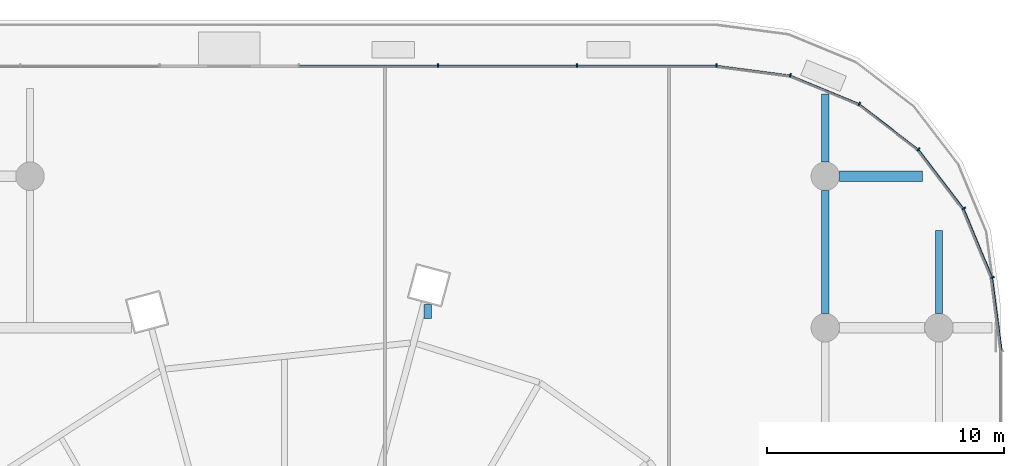
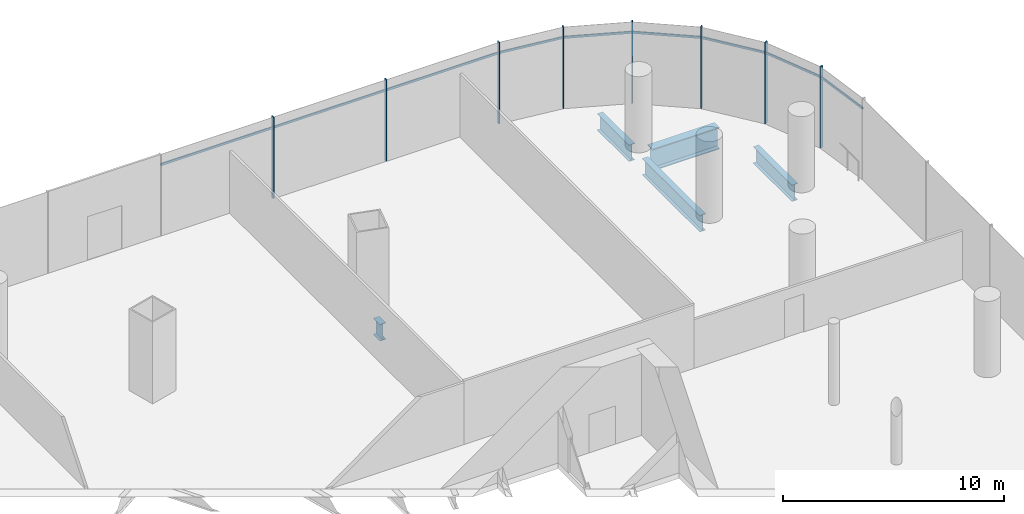
# One storey, part 23 of 43: 17 members, 5 beams, 1 element without a shape of its own.
"""IFC4 building model written with IfcOpenShell, lengths in metres."""

from ifc_helpers import new_model, si_unit, direction, frame, origin, origin_2d, place, context, subcontext, project, spatial, rectangle, i_section, extrude, material, material_profile, profile_set, type_object, element, aggregate, save


model = new_model("IFC4")

# Units and contexts
model_context = context("Model", 3, precision=1e-05, world=origin(), true_north=direction((0.0, 1.0)))
body_context = subcontext(model_context, "Body", "Model", "MODEL_VIEW")
ifc_project = project(units=[si_unit("LENGTHUNIT", "METRE"), si_unit("AREAUNIT", "SQUARE_METRE"), si_unit("VOLUMEUNIT", "CUBIC_METRE"), si_unit("PLANEANGLEUNIT", "RADIAN"), si_unit("MASSUNIT", "GRAM", prefix="KILO")], contexts=[model_context])

# Site, building, storey
site_placement = place(None, origin())
site = spatial("IfcSite", under=ifc_project, at=site_placement, CompositionType="ELEMENT")
building_placement = place(site_placement, origin())
building = spatial("IfcBuilding", under=site, at=building_placement, Name="Rimbun Link Towers", CompositionType="ELEMENT")
storey_placement = place(building_placement, frame((0.0, 0.0, 12.0)))
storey = spatial("IfcBuildingStorey", under=building, at=storey_placement, Name="L02", CompositionType="ELEMENT", Elevation=12.0)

# Curtain wall, members
ifc_material_1 = material(Name="Aluminium 6063-T6 and low-iron glass", Category="aluminium")
curtain_wall_type = type_object("IfcCurtainWallType", Name="CW3 podium shopfront", PredefinedType="NOTDEFINED", material=ifc_material_1)
curtain_wall_placement = place(storey_placement, origin())
curtain_wall = element("IfcCurtainWall", 1, at=curtain_wall_placement, inside=storey, type_object=curtain_wall_type, Name="CW3 L02 PD", PredefinedType="NOTDEFINED")
ifc_material_2 = material(Name="Aluminium 6063-T6", Category="aluminium")
ifc_material_profile_1 = material_profile(ifc_material_2, rectangle(XDim=0.14990234375, YDim=0.06005859375, at=origin_2d()), Name="MULLION 60X150")
ifc_profile_set_1 = profile_set([ifc_material_profile_1], Name="Aluminium 6063-T6")
member_type_1 = type_object("IfcMemberType", Name="CW3 mullion 60X150", PredefinedType="MULLION", material=ifc_profile_set_1)
member_1_placement = place(storey_placement, frame((61.66357421875, 23.125244140625, 0.0), z_axis=(0.0, 0.0, 1.0), x_axis=(0.965925910978, 0.258818729038, 0.0)))
member_1 = element("IfcMember", 2, at=member_1_placement, type_object=member_type_1, Name="CW3 mullion", PredefinedType="MULLION", context=body_context, shape_type="SweptSolid", body=[
    extrude(rectangle(XDim=0.14990234375, YDim=0.06005859375, at=origin_2d()), origin(), (0.0, 0.0, 1.0), 4.5),
])
member_2_placement = place(storey_placement, frame((60.457275390625, 26.03759765625, 0.0), z_axis=(0.0, 0.0, 1.0), x_axis=(0.866029040155, 0.499993701568, 0.0)))
member_2 = element("IfcMember", 3, at=member_2_placement, type_object=member_type_1, Name="CW3 mullion", PredefinedType="MULLION", context=body_context, shape_type="SweptSolid", body=[
    extrude(rectangle(XDim=0.14990234375, YDim=0.06005859375, at=origin_2d()), origin(), (0.0, 0.0, 1.0), 4.5),
])
member_3_placement = place(storey_placement, frame((58.538330078125, 28.538330078125, 0.0), z_axis=(0.0, 0.0, 1.0), x_axis=(0.707106781187, 0.707106781187, 0.0)))
member_3 = element("IfcMember", 4, at=member_3_placement, type_object=member_type_1, Name="CW3 mullion", PredefinedType="MULLION", context=body_context, shape_type="SweptSolid", body=[
    extrude(rectangle(XDim=0.14990234375, YDim=0.06005859375, at=origin_2d()), origin(), (0.0, 0.0, 1.0), 4.5),
])
member_4_placement = place(storey_placement, frame((56.03759765625, 30.457275390625, 0.0), z_axis=(0.0, 0.0, 1.0), x_axis=(0.499993701568, 0.866029040155, 0.0)))
member_4 = element("IfcMember", 5, at=member_4_placement, type_object=member_type_1, Name="CW3 mullion", PredefinedType="MULLION", context=body_context, shape_type="SweptSolid", body=[
    extrude(rectangle(XDim=0.14990234375, YDim=0.06005859375, at=origin_2d()), origin(), (0.0, 0.0, 1.0), 4.5),
])
member_5_placement = place(storey_placement, frame((53.125244140625, 31.66357421875, 0.0), z_axis=(0.0, 0.0, 1.0), x_axis=(0.258818729038, 0.965925910978, 0.0)))
member_5 = element("IfcMember", 6, at=member_5_placement, type_object=member_type_1, Name="CW3 mullion", PredefinedType="MULLION", context=body_context, shape_type="SweptSolid", body=[
    extrude(rectangle(XDim=0.14990234375, YDim=0.06005859375, at=origin_2d()), origin(), (0.0, 0.0, 1.0), 4.5),
])
member_6_placement = place(storey_placement, frame((50.0048828125, 32.074951171875, 0.0), z_axis=(0.0, 0.0, 1.0), x_axis=(0.065405288299, 0.997858781723, 0.0)))
member_6 = element("IfcMember", 7, at=member_6_placement, type_object=member_type_1, Name="CW3 mullion", PredefinedType="MULLION", context=body_context, shape_type="SweptSolid", body=[
    extrude(rectangle(XDim=0.14990234375, YDim=0.06005859375, at=origin_2d()), origin(), (0.0, 0.0, 1.0), 4.5),
])
member_7_placement = place(storey_placement, frame((44.11767578125, 32.074951171875, 0.0), z_axis=(0.0, 0.0, 1.0), x_axis=(0.0, 1.0, 0.0)))
member_7 = element("IfcMember", 8, at=member_7_placement, type_object=member_type_1, Name="CW3 mullion", PredefinedType="MULLION", context=body_context, shape_type="SweptSolid", body=[
    extrude(rectangle(XDim=0.14990234375, YDim=0.06005859375, at=origin_2d()), origin(), (0.0, 0.0, 1.0), 4.5),
])
member_8_placement = place(storey_placement, frame((38.2353515625, 32.074951171875, 0.0), z_axis=(0.0, 0.0, 1.0), x_axis=(0.0, 1.0, 0.0)))
member_8 = element("IfcMember", 9, at=member_8_placement, type_object=member_type_1, Name="CW3 mullion", PredefinedType="MULLION", context=body_context, shape_type="SweptSolid", body=[
    extrude(rectangle(XDim=0.14990234375, YDim=0.06005859375, at=origin_2d()), origin(), (0.0, 0.0, 1.0), 4.5),
])
ifc_material_3 = material(Name="Aluminium 6063-T6", Category="aluminium")
ifc_material_profile_2 = material_profile(ifc_material_3, rectangle(XDim=0.06005859375, YDim=0.1201171875, at=origin_2d()), Name="TRANSOM 60X120")
ifc_profile_set_2 = profile_set([ifc_material_profile_2], Name="Aluminium 6063-T6")
member_type_2 = type_object("IfcMemberType", Name="CW3 transom 60X120", PredefinedType="USERDEFINED", material=ifc_profile_set_2)
member_9_placement = place(storey_placement, frame((61.6484375, 23.0830078125, 3.89990234375), z_axis=(0.130555231638, -0.991441037829, 0.0), x_axis=(0.991441037829, 0.130555231638, 0.0)))
member_9 = element("IfcMember", 10, at=member_9_placement, type_object=member_type_2, Name="CW3 transom", ObjectType="TRANSOM", PredefinedType="USERDEFINED", context=body_context, shape_type="SweptSolid", body=[
    extrude(rectangle(XDim=0.06005859375, YDim=0.1201171875, at=origin_2d()), origin(), (0.0, 0.0, 1.0), 3.072509765625),
])
member_10_placement = place(storey_placement, frame((60.45361328125, 25.992919921875, 3.89990234375), z_axis=(0.382679289053, -0.923881248716, 0.0), x_axis=(0.923881248716, 0.382679289053, 0.0)))
member_10 = element("IfcMember", 11, at=member_10_placement, type_object=member_type_2, Name="CW3 transom", ObjectType="TRANSOM", PredefinedType="USERDEFINED", context=body_context, shape_type="SweptSolid", body=[
    extrude(rectangle(XDim=0.06005859375, YDim=0.1201171875, at=origin_2d()), origin(), (0.0, 0.0, 1.0), 3.072509765625),
])
member_11_placement = place(storey_placement, frame((58.54638671875, 28.494384765625, 3.89990234375), z_axis=(0.608773432314, -0.793344129687, 0.0), x_axis=(0.793344129687, 0.608773432314, 0.0)))
member_11 = element("IfcMember", 12, at=member_11_placement, type_object=member_type_2, Name="CW3 transom", ObjectType="TRANSOM", PredefinedType="USERDEFINED", context=body_context, shape_type="SweptSolid", body=[
    extrude(rectangle(XDim=0.06005859375, YDim=0.1201171875, at=origin_2d()), origin(), (0.0, 0.0, 1.0), 3.07275390625),
])
member_12_placement = place(storey_placement, frame((56.056640625, 30.4169921875, 3.89990234375), z_axis=(0.793344129687, -0.608773432314, 0.0), x_axis=(0.608773432314, 0.793344129687, 0.0)))
member_12 = element("IfcMember", 13, at=member_12_placement, type_object=member_type_2, Name="CW3 transom", ObjectType="TRANSOM", PredefinedType="USERDEFINED", context=body_context, shape_type="SweptSolid", body=[
    extrude(rectangle(XDim=0.06005859375, YDim=0.1201171875, at=origin_2d()), origin(), (0.0, 0.0, 1.0), 3.07275390625),
])
member_13_placement = place(storey_placement, frame((53.154296875, 31.62939453125, 3.89990234375), z_axis=(0.923881248716, -0.382679289053, 0.0), x_axis=(0.382679289053, 0.923881248716, 0.0)))
member_13 = element("IfcMember", 14, at=member_13_placement, type_object=member_type_2, Name="CW3 transom", ObjectType="TRANSOM", PredefinedType="USERDEFINED", context=body_context, shape_type="SweptSolid", body=[
    extrude(rectangle(XDim=0.06005859375, YDim=0.1201171875, at=origin_2d()), origin(), (0.0, 0.0, 1.0), 3.072509765625),
])
member_14_placement = place(storey_placement, frame((50.036865234375, 32.049560546875, 3.89990234375), z_axis=(0.991441037829, -0.130555231638, 0.0), x_axis=(0.130555231638, 0.991441037829, 0.0)))
member_14 = element("IfcMember", 15, at=member_14_placement, type_object=member_type_2, Name="CW3 transom", ObjectType="TRANSOM", PredefinedType="USERDEFINED", context=body_context, shape_type="SweptSolid", body=[
    extrude(rectangle(XDim=0.06005859375, YDim=0.1201171875, at=origin_2d()), origin(), (0.0, 0.0, 1.0), 3.072509765625),
])
member_15_placement = place(storey_placement, frame((44.147705078125, 32.053955078125, 3.89990234375), z_axis=(1.0, 0.0, 0.0), x_axis=(0.0, 1.0, 0.0)))
member_15 = element("IfcMember", 16, at=member_15_placement, type_object=member_type_2, Name="CW3 transom", ObjectType="TRANSOM", PredefinedType="USERDEFINED", context=body_context, shape_type="SweptSolid", body=[
    extrude(rectangle(XDim=0.06005859375, YDim=0.1201171875, at=origin_2d()), origin(), (0.0, 0.0, 1.0), 5.822265625),
])
member_16_placement = place(storey_placement, frame((38.265380859375, 32.053955078125, 3.89990234375), z_axis=(1.0, 0.0, 0.0), x_axis=(0.0, 1.0, 0.0)))
member_16 = element("IfcMember", 17, at=member_16_placement, type_object=member_type_2, Name="CW3 transom", ObjectType="TRANSOM", PredefinedType="USERDEFINED", context=body_context, shape_type="SweptSolid", body=[
    extrude(rectangle(XDim=0.06005859375, YDim=0.1201171875, at=origin_2d()), origin(), (0.0, 0.0, 1.0), 5.822265625),
])
member_17_placement = place(storey_placement, frame((32.383056640625, 32.053955078125, 3.89990234375), z_axis=(1.0, 0.0, 0.0), x_axis=(0.0, 1.0, 0.0)))
member_17 = element("IfcMember", 18, at=member_17_placement, type_object=member_type_2, Name="CW3 transom", ObjectType="TRANSOM", PredefinedType="USERDEFINED", context=body_context, shape_type="SweptSolid", body=[
    extrude(rectangle(XDim=0.06005859375, YDim=0.1201171875, at=origin_2d()), origin(), (0.0, 0.0, 1.0), 5.822265625),
])
aggregate(curtain_wall, [member_1, member_2, member_3, member_4, member_5, member_6, member_7, member_8, member_9, member_10, member_11, member_12, member_13, member_14, member_15, member_16, member_17])

# Beams
ifc_material_4 = material(Name="Steel S355J2", Category="steel")
ifc_material_profile_3 = material_profile(ifc_material_4, i_section(OverallWidth=0.449951171875, OverallDepth=1.199951171875, WebThickness=0.030029296875, FlangeThickness=0.044921875, at=origin_2d()), Name="PG 1200x450x30/45")
ifc_profile_set_3 = profile_set([ifc_material_profile_3], Name="Steel S355J2")
beam_type_1 = type_object("IfcBeamType", Name="PG 1200x450x30/45", PredefinedType="BEAM", material=ifc_profile_set_3)
beam_1_placement = place(storey_placement, frame((55.199951171875, 27.39990234375, -0.89990234375), z_axis=(1.0, 0.0, 0.0), x_axis=(0.0, 1.0, 0.0)))
element("IfcBeam", 19, at=beam_1_placement, inside=storey, type_object=beam_type_1, Name="Grid beam L02 +27.4", PredefinedType="BEAM", context=body_context, shape_type="SweptSolid", body=[
    extrude(i_section(OverallWidth=0.449951171875, OverallDepth=1.199951171875, WebThickness=0.030029296875, FlangeThickness=0.044921875, at=origin_2d()), origin(), (0.0, 0.0, 1.0), 3.5),
])
ifc_material_5 = material(Name="Steel S355J2", Category="steel")
ifc_material_profile_4 = material_profile(ifc_material_5, i_section(OverallWidth=0.305419921875, OverallDepth=0.91845703125, WebThickness=0.017333984375, FlangeThickness=0.02783203125, at=origin_2d()), Name="UB 914x305x253")
ifc_profile_set_4 = profile_set([ifc_material_profile_4], Name="Steel S355J2")
beam_type_2 = type_object("IfcBeamType", Name="UB 914x305x253", PredefinedType="BEAM", material=ifc_profile_set_4)
beam_2_placement = place(storey_placement, frame((37.800048828125, 21.38330078125, -0.75927734375), z_axis=(0.0, 1.0, 0.0), x_axis=(-1.0, 0.0, 0.0)))
element("IfcBeam", 20, at=beam_2_placement, inside=storey, type_object=beam_type_2, Name="Grid beam L02 +37.8", PredefinedType="BEAM", context=body_context, shape_type="SweptSolid", body=[
    extrude(i_section(OverallWidth=0.305419921875, OverallDepth=0.91845703125, WebThickness=0.017333984375, FlangeThickness=0.02783203125, at=origin_2d()), origin(), (0.0, 0.0, 1.0), 0.5986328125),
])
beam_3_placement = place(storey_placement, frame((54.60009765625, 21.60009765625, -0.75927734375), z_axis=(0.0, 1.0, 0.0), x_axis=(-1.0, 0.0, 0.0)))
element("IfcBeam", 21, at=beam_3_placement, inside=storey, type_object=beam_type_2, Name="Grid beam L02 +54.6", PredefinedType="BEAM", context=body_context, shape_type="SweptSolid", body=[
    extrude(i_section(OverallWidth=0.305419921875, OverallDepth=0.91845703125, WebThickness=0.017333984375, FlangeThickness=0.02783203125, at=origin_2d()), origin(), (0.0, 0.0, 1.0), 5.199951171875),
])
beam_4_placement = place(storey_placement, frame((54.60009765625, 28.0, -0.75927734375), z_axis=(0.0, 1.0, 0.0), x_axis=(-1.0, 0.0, 0.0)))
element("IfcBeam", 22, at=beam_4_placement, inside=storey, type_object=beam_type_2, Name="Grid beam L02 +54.6", PredefinedType="BEAM", context=body_context, shape_type="SweptSolid", body=[
    extrude(i_section(OverallWidth=0.305419921875, OverallDepth=0.91845703125, WebThickness=0.017333984375, FlangeThickness=0.02783203125, at=origin_2d()), origin(), (0.0, 0.0, 1.0), 2.875),
])
beam_5_placement = place(storey_placement, frame((59.39990234375, 21.60009765625, -0.75927734375), z_axis=(0.0, 1.0, 0.0), x_axis=(-1.0, 0.0, 0.0)))
element("IfcBeam", 23, at=beam_5_placement, inside=storey, type_object=beam_type_2, Name="Grid beam L02 +59.4", PredefinedType="BEAM", context=body_context, shape_type="SweptSolid", body=[
    extrude(i_section(OverallWidth=0.305419921875, OverallDepth=0.91845703125, WebThickness=0.017333984375, FlangeThickness=0.02783203125, at=origin_2d()), origin(), (0.0, 0.0, 1.0), 3.5),
])

save(model, "model.ifc")
